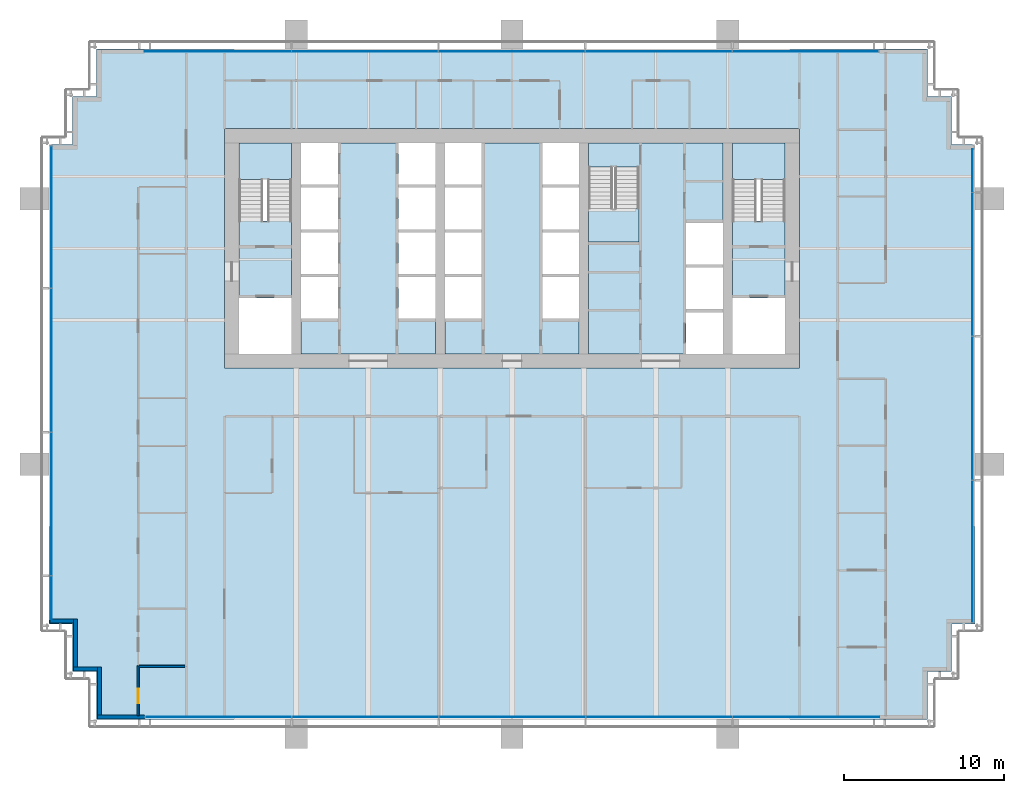
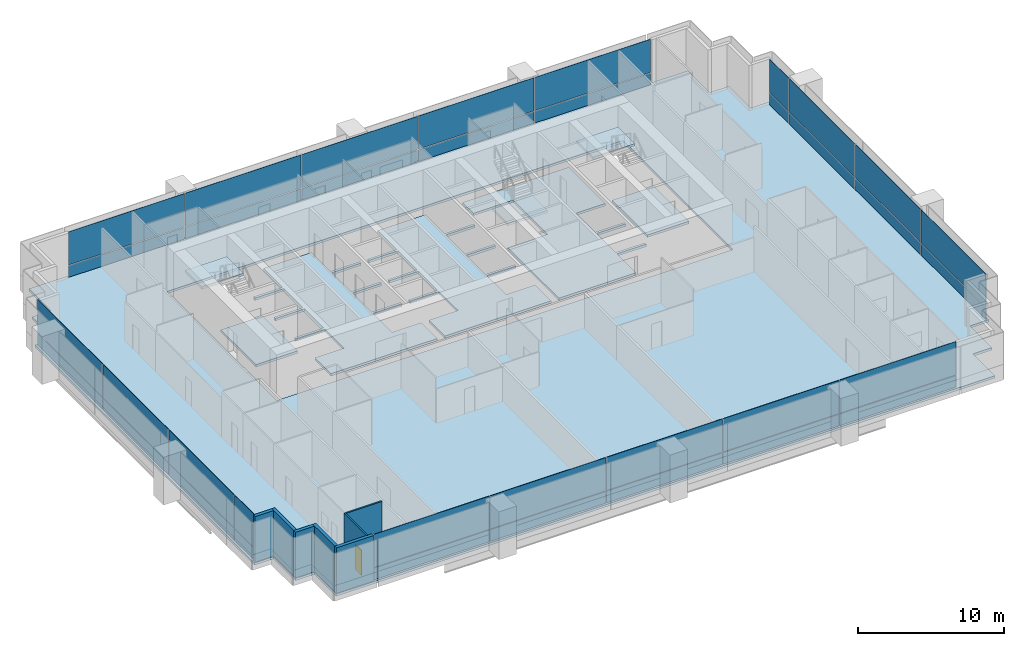
# One storey, part 9 of 17: 36 plates, 9 slabs, 7 walls, 1 door, 1 opening, 7 elements without a shape of their own.
"""IFC4 building model written with IfcOpenShell, lengths in metres."""

from ifc_helpers import new_model, si_unit, direction, frame, frame_2d, origin, origin_2d, place, context, subcontext, project, spatial, polyline, rectangle, outline, extrude, material, layer, layer_set, type_object, element, fill, aggregate, save


model = new_model("IFC4")

# Units and contexts
model_context = context("Model", 3, precision=1e-05, world=origin(), true_north=direction((0.0, 1.0)))
body_context = subcontext(model_context, "Body", "Model", "MODEL_VIEW")
ifc_project = project(units=[si_unit("LENGTHUNIT", "METRE"), si_unit("AREAUNIT", "SQUARE_METRE"), si_unit("VOLUMEUNIT", "CUBIC_METRE"), si_unit("PLANEANGLEUNIT", "RADIAN"), si_unit("MASSUNIT", "GRAM", prefix="KILO")], contexts=[model_context])

# Site, building, storey
site_placement = place(None, origin())
site = spatial("IfcSite", under=ifc_project, at=site_placement, CompositionType="ELEMENT")
building_placement = place(site_placement, origin())
building = spatial("IfcBuilding", under=site, at=building_placement, Name="Rattan Terrace Tower", CompositionType="ELEMENT")
storey_placement = place(building_placement, frame((0.0, 0.0, 146.10009765625)))
storey = spatial("IfcBuildingStorey", under=building, at=storey_placement, Name="L33", CompositionType="ELEMENT", Elevation=146.10009765625)

# Stair, slab
ifc_material_1 = material(Name="Concrete C40/50", Category="concrete")
stair_type = type_object("IfcStairType", Name="Core exit stair 1500", PredefinedType="HALF_TURN_STAIR", material=ifc_material_1)
stair_1_placement = place(storey_placement, origin())
stair_1 = element("IfcStair", 1, at=stair_1_placement, inside=storey, type_object=stair_type, Name="L33 exit stair 1", PredefinedType="HALF_TURN_STAIR")
ifc_material_2 = material(Name="Concrete C40/50", Category="concrete")
ifc_layer_1 = layer(ifc_material_2, 0.199951171875)
ifc_layer_set_1 = layer_set([ifc_layer_1], Name="Core exit stair landing")
slab_type_1 = type_object("IfcSlabType", Name="Core exit stair landing", PredefinedType="LANDING", material=ifc_layer_set_1)
slab_1_placement = place(storey_placement, frame((0.0, 0.0, 1.7998046875)))
slab_1 = element("IfcSlab", 2, at=slab_1_placement, type_object=slab_type_1, Name="S1 landing 1", PredefinedType="LANDING", context=body_context, shape_type="SweptSolid", body=[
    extrude(outline(polyline([(-13.800048828125, 4.300048828125), (-13.800048828125, 6.60009765625), (-17.10009765625, 6.60009765625), (-17.10009765625, 4.300048828125), (-13.800048828125, 4.300048828125)])), origin(), (0.0, 0.0, 1.0), 0.2001953125),
])
aggregate(stair_1, [slab_1])

stair_2_placement = place(storey_placement, origin())
stair_2 = element("IfcStair", 3, at=stair_2_placement, inside=storey, type_object=stair_type, Name="L33 exit stair 2", PredefinedType="HALF_TURN_STAIR")
slab_2_placement = place(storey_placement, frame((0.0, 0.0, 1.7998046875)))
slab_2 = element("IfcSlab", 4, at=slab_2_placement, type_object=slab_type_1, Name="S2 landing 1", PredefinedType="LANDING", context=body_context, shape_type="SweptSolid", body=[
    extrude(outline(polyline([(17.10009765625, 4.300048828125), (17.10009765625, 6.60009765625), (13.800048828125, 6.60009765625), (13.800048828125, 4.300048828125), (17.10009765625, 4.300048828125)])), origin(), (0.0, 0.0, 1.0), 0.2001953125),
])
aggregate(stair_2, [slab_2])

stair_3_placement = place(storey_placement, origin())
stair_3 = element("IfcStair", 5, at=stair_3_placement, inside=storey, type_object=stair_type, Name="L33 exit stair 3", PredefinedType="HALF_TURN_STAIR")
slab_3_placement = place(storey_placement, frame((0.0, 0.0, 1.7998046875)))
slab_3 = element("IfcSlab", 6, at=slab_3_placement, type_object=slab_type_1, Name="S3 landing 1", PredefinedType="LANDING", context=body_context, shape_type="SweptSolid", body=[
    extrude(outline(polyline([(4.800048828125, 2.5), (4.800048828125, 0.39990234375), (7.949951171875, 0.39990234375), (7.949951171875, 2.5), (4.800048828125, 2.5)])), origin(), (0.0, 0.0, 1.0), 0.2001953125),
])
aggregate(stair_3, [slab_3])

# Curtain wall, plates
ifc_material_3 = material(Name="Aluminium and glass", Category="aluminium")
curtain_wall_type = type_object("IfcCurtainWallType", Name="Facade Unitised Curtain Wall", PredefinedType="NOTDEFINED", material=ifc_material_3)
curtain_wall_1_placement = place(storey_placement, origin())
curtain_wall_1 = element("IfcCurtainWall", 7, at=curtain_wall_1_placement, inside=storey, type_object=curtain_wall_type, Name="Curtain wall L33-1", PredefinedType="NOTDEFINED")
ifc_material_4 = material(Name="Aluminium insulated spandrel panel", Category="aluminium")
ifc_layer_2 = layer(ifc_material_4, 0.028076171875)
ifc_layer_set_2 = layer_set([ifc_layer_2], Name="Facade CW Spandrel Panel")
plate_type_1 = type_object("IfcPlateType", Name="Facade CW Spandrel Panel", PredefinedType="CURTAIN_PANEL", material=ifc_layer_set_2)
plate_1_placement = place(storey_placement, frame((28.830078125, -18.96240234375, 0.0), z_axis=(0.0, 0.0, 1.0), x_axis=(0.0, 1.0, 0.0)))
plate_1 = element("IfcPlate", 8, at=plate_1_placement, type_object=plate_type_1, Name="Panel cwl-L33-001.1.1", PredefinedType="CURTAIN_PANEL", context=body_context, shape_type="SweptSolid", body=[
    extrude(rectangle(XDim=8.864990234375, YDim=0.028076171875, at=origin_2d()), origin(), (0.0, 0.0, 1.0), 0.969970703125),
])
plate_2_placement = place(storey_placement, frame((28.830078125, -10.0, 0.0), z_axis=(0.0, 0.0, 1.0), x_axis=(0.0, 1.0, 0.0)))
plate_2 = element("IfcPlate", 9, at=plate_2_placement, type_object=plate_type_1, Name="Panel cwl-L33-001.2.1", PredefinedType="CURTAIN_PANEL", context=body_context, shape_type="SweptSolid", body=[
    extrude(rectangle(XDim=8.93994140625, YDim=0.028076171875, at=origin_2d()), origin(), (0.0, 0.0, 1.0), 0.969970703125),
])
plate_3_placement = place(storey_placement, frame((28.830078125, -1.0, 0.0), z_axis=(0.0, 0.0, 1.0), x_axis=(0.0, 1.0, 0.0)))
plate_3 = element("IfcPlate", 10, at=plate_3_placement, type_object=plate_type_1, Name="Panel cwl-L33-001.3.1", PredefinedType="CURTAIN_PANEL", context=body_context, shape_type="SweptSolid", body=[
    extrude(rectangle(XDim=8.93994140625, YDim=0.028076171875, at=origin_2d()), origin(), (0.0, 0.0, 1.0), 0.969970703125),
])
plate_4_placement = place(storey_placement, frame((28.830078125, 4.867431640625, 0.0), z_axis=(0.0, 0.0, 1.0), x_axis=(0.0, 1.0, 0.0)))
plate_4 = element("IfcPlate", 11, at=plate_4_placement, type_object=plate_type_1, Name="Panel cwl-L33-001.4.1", PredefinedType="CURTAIN_PANEL", context=body_context, shape_type="SweptSolid", body=[
    extrude(rectangle(XDim=2.675048828125, YDim=0.028076171875, at=origin_2d()), origin(), (0.0, 0.0, 1.0), 0.969970703125),
])

curtain_wall_2_placement = place(storey_placement, origin())
curtain_wall_2 = element("IfcCurtainWall", 12, at=curtain_wall_2_placement, inside=storey, type_object=curtain_wall_type, Name="Curtain wall L33-2", PredefinedType="NOTDEFINED")
plate_5_placement = place(storey_placement, frame((18.384521484375, 12.330078125, 0.0), z_axis=(0.0, 0.0, 1.0), x_axis=(-1.0, 0.0, 0.0)))
plate_5 = element("IfcPlate", 13, at=plate_5_placement, type_object=plate_type_1, Name="Panel cwl-L33-002.1.1", PredefinedType="CURTAIN_PANEL", context=body_context, shape_type="SweptSolid", body=[
    extrude(rectangle(XDim=9.111083984375, YDim=0.028076171875, at=origin_2d()), origin(), (0.0, 0.0, 1.0), 0.969970703125),
])
plate_6_placement = place(storey_placement, frame((9.198486328125, 12.330078125, 0.0), z_axis=(0.0, 0.0, 1.0), x_axis=(-1.0, 0.0, 0.0)))
plate_6 = element("IfcPlate", 14, at=plate_6_placement, type_object=plate_type_1, Name="Panel cwl-L33-002.2.1", PredefinedType="CURTAIN_PANEL", context=body_context, shape_type="SweptSolid", body=[
    extrude(rectangle(XDim=9.14111328125, YDim=0.028076171875, at=origin_2d()), origin(), (0.0, 0.0, 1.0), 0.969970703125),
])
plate_7_placement = place(storey_placement, frame((-0.00244140625, 12.330078125, 0.0), z_axis=(0.0, 0.0, 1.0), x_axis=(-1.0, 0.0, 0.0)))
plate_7 = element("IfcPlate", 15, at=plate_7_placement, type_object=plate_type_1, Name="Panel cwl-L33-002.3.1", PredefinedType="CURTAIN_PANEL", context=body_context, shape_type="SweptSolid", body=[
    extrude(rectangle(XDim=9.14111328125, YDim=0.028076171875, at=origin_2d()), origin(), (0.0, 0.0, 1.0), 0.969970703125),
])
plate_8_placement = place(storey_placement, frame((-9.20361328125, 12.330078125, 0.0), z_axis=(0.0, 0.0, 1.0), x_axis=(-1.0, 0.0, 0.0)))
plate_8 = element("IfcPlate", 16, at=plate_8_placement, type_object=plate_type_1, Name="Panel cwl-L33-002.4.1", PredefinedType="CURTAIN_PANEL", context=body_context, shape_type="SweptSolid", body=[
    extrude(rectangle(XDim=9.14111328125, YDim=0.028076171875, at=origin_2d()), origin(), (0.0, 0.0, 1.0), 0.969970703125),
])
plate_9_placement = place(storey_placement, frame((-18.4169921875, 12.330078125, 0.0), z_axis=(0.0, 0.0, 1.0), x_axis=(-1.0, 0.0, 0.0)))
plate_9 = element("IfcPlate", 17, at=plate_9_placement, type_object=plate_type_1, Name="Panel cwl-L33-002.5.1", PredefinedType="CURTAIN_PANEL", context=body_context, shape_type="SweptSolid", body=[
    extrude(rectangle(XDim=9.166015625, YDim=0.028076171875, at=origin_2d()), origin(), (0.0, 0.0, 1.0), 0.969970703125),
])

curtain_wall_3_placement = place(storey_placement, origin())
curtain_wall_3 = element("IfcCurtainWall", 18, at=curtain_wall_3_placement, inside=storey, type_object=curtain_wall_type, Name="Curtain wall L33-3", PredefinedType="NOTDEFINED")
plate_10_placement = place(storey_placement, frame((-28.830078125, 1.96240234375, 0.0), z_axis=(0.0, 0.0, 1.0), x_axis=(0.0, -1.0, 0.0)))
plate_10 = element("IfcPlate", 19, at=plate_10_placement, type_object=plate_type_1, Name="Panel cwl-L33-003.1.1", PredefinedType="CURTAIN_PANEL", context=body_context, shape_type="SweptSolid", body=[
    extrude(rectangle(XDim=8.864990234375, YDim=0.028076171875, at=origin_2d()), origin(), (0.0, 0.0, 1.0), 0.969970703125),
])
plate_11_placement = place(storey_placement, frame((-28.830078125, -7.0, 0.0), z_axis=(0.0, 0.0, 1.0), x_axis=(0.0, -1.0, 0.0)))
plate_11 = element("IfcPlate", 20, at=plate_11_placement, type_object=plate_type_1, Name="Panel cwl-L33-003.2.1", PredefinedType="CURTAIN_PANEL", context=body_context, shape_type="SweptSolid", body=[
    extrude(rectangle(XDim=8.93994140625, YDim=0.028076171875, at=origin_2d()), origin(), (0.0, 0.0, 1.0), 0.969970703125),
])
plate_12_placement = place(storey_placement, frame((-28.830078125, -16.0, 0.0), z_axis=(0.0, 0.0, 1.0), x_axis=(0.0, -1.0, 0.0)))
plate_12 = element("IfcPlate", 21, at=plate_12_placement, type_object=plate_type_1, Name="Panel cwl-L33-003.3.1", PredefinedType="CURTAIN_PANEL", context=body_context, shape_type="SweptSolid", body=[
    extrude(rectangle(XDim=8.93994140625, YDim=0.028076171875, at=origin_2d()), origin(), (0.0, 0.0, 1.0), 0.969970703125),
])
plate_13_placement = place(storey_placement, frame((-28.830078125, -21.867431640625, 0.0), z_axis=(0.0, 0.0, 1.0), x_axis=(0.0, -1.0, 0.0)))
plate_13 = element("IfcPlate", 22, at=plate_13_placement, type_object=plate_type_1, Name="Panel cwl-L33-003.4.1", PredefinedType="CURTAIN_PANEL", context=body_context, shape_type="SweptSolid", body=[
    extrude(rectangle(XDim=2.675048828125, YDim=0.028076171875, at=origin_2d()), origin(), (0.0, 0.0, 1.0), 0.969970703125),
])

curtain_wall_4_placement = place(storey_placement, origin())
curtain_wall_4 = element("IfcCurtainWall", 23, at=curtain_wall_4_placement, inside=storey, type_object=curtain_wall_type, Name="Curtain wall L33-4", PredefinedType="NOTDEFINED")
plate_14_placement = place(storey_placement, frame((-18.384521484375, -29.330078125, 0.0), z_axis=(0.0, 0.0, 1.0), x_axis=(1.0, 0.0, 0.0)))
plate_14 = element("IfcPlate", 24, at=plate_14_placement, type_object=plate_type_1, Name="Panel cwl-L33-004.1.1", PredefinedType="CURTAIN_PANEL", context=body_context, shape_type="SweptSolid", body=[
    extrude(rectangle(XDim=9.111083984375, YDim=0.028076171875, at=origin_2d()), origin(), (0.0, 0.0, 1.0), 0.969970703125),
])
plate_15_placement = place(storey_placement, frame((-9.198486328125, -29.330078125, 0.0), z_axis=(0.0, 0.0, 1.0), x_axis=(1.0, 0.0, 0.0)))
plate_15 = element("IfcPlate", 25, at=plate_15_placement, type_object=plate_type_1, Name="Panel cwl-L33-004.2.1", PredefinedType="CURTAIN_PANEL", context=body_context, shape_type="SweptSolid", body=[
    extrude(rectangle(XDim=9.14111328125, YDim=0.028076171875, at=origin_2d()), origin(), (0.0, 0.0, 1.0), 0.969970703125),
])
plate_16_placement = place(storey_placement, frame((0.00244140625, -29.330078125, 0.0), z_axis=(0.0, 0.0, 1.0), x_axis=(1.0, 0.0, 0.0)))
plate_16 = element("IfcPlate", 26, at=plate_16_placement, type_object=plate_type_1, Name="Panel cwl-L33-004.3.1", PredefinedType="CURTAIN_PANEL", context=body_context, shape_type="SweptSolid", body=[
    extrude(rectangle(XDim=9.14111328125, YDim=0.028076171875, at=origin_2d()), origin(), (0.0, 0.0, 1.0), 0.969970703125),
])
plate_17_placement = place(storey_placement, frame((9.20361328125, -29.330078125, 0.0), z_axis=(0.0, 0.0, 1.0), x_axis=(1.0, 0.0, 0.0)))
plate_17 = element("IfcPlate", 27, at=plate_17_placement, type_object=plate_type_1, Name="Panel cwl-L33-004.4.1", PredefinedType="CURTAIN_PANEL", context=body_context, shape_type="SweptSolid", body=[
    extrude(rectangle(XDim=9.14111328125, YDim=0.028076171875, at=origin_2d()), origin(), (0.0, 0.0, 1.0), 0.969970703125),
])
plate_18_placement = place(storey_placement, frame((18.4169921875, -29.330078125, 0.0), z_axis=(0.0, 0.0, 1.0), x_axis=(1.0, 0.0, 0.0)))
plate_18 = element("IfcPlate", 28, at=plate_18_placement, type_object=plate_type_1, Name="Panel cwl-L33-004.5.1", PredefinedType="CURTAIN_PANEL", context=body_context, shape_type="SweptSolid", body=[
    extrude(rectangle(XDim=9.166015625, YDim=0.028076171875, at=origin_2d()), origin(), (0.0, 0.0, 1.0), 0.969970703125),
])

# Plate
ifc_material_5 = material(Name="Clear low-iron glass", Category="glass")
ifc_layer_3 = layer(ifc_material_5, 0.028076171875)
ifc_layer_set_3 = layer_set([ifc_layer_3], Name="Facade CW Vision Panel")
plate_type_2 = type_object("IfcPlateType", Name="Facade CW Vision Panel", PredefinedType="CURTAIN_PANEL", material=ifc_layer_set_3)
plate_19_placement = place(storey_placement, frame((28.830078125, -18.96240234375, 1.02978515625), z_axis=(0.0, 0.0, 1.0), x_axis=(0.0, 1.0, 0.0)))
plate_19 = element("IfcPlate", 29, at=plate_19_placement, type_object=plate_type_2, Name="Panel cwl-L33-001.1.2", PredefinedType="CURTAIN_PANEL", context=body_context, shape_type="SweptSolid", body=[
    extrude(rectangle(XDim=8.864990234375, YDim=0.028076171875, at=origin_2d()), origin(), (0.0, 0.0, 1.0), 2.77001953125),
])

plate_20_placement = place(storey_placement, frame((28.830078125, -10.0, 1.02978515625), z_axis=(0.0, 0.0, 1.0), x_axis=(0.0, 1.0, 0.0)))
plate_20 = element("IfcPlate", 30, at=plate_20_placement, type_object=plate_type_2, Name="Panel cwl-L33-001.2.2", PredefinedType="CURTAIN_PANEL", context=body_context, shape_type="SweptSolid", body=[
    extrude(rectangle(XDim=8.93994140625, YDim=0.028076171875, at=origin_2d()), origin(), (0.0, 0.0, 1.0), 2.77001953125),
])

plate_21_placement = place(storey_placement, frame((28.830078125, -1.0, 1.02978515625), z_axis=(0.0, 0.0, 1.0), x_axis=(0.0, 1.0, 0.0)))
plate_21 = element("IfcPlate", 31, at=plate_21_placement, type_object=plate_type_2, Name="Panel cwl-L33-001.3.2", PredefinedType="CURTAIN_PANEL", context=body_context, shape_type="SweptSolid", body=[
    extrude(rectangle(XDim=8.93994140625, YDim=0.028076171875, at=origin_2d()), origin(), (0.0, 0.0, 1.0), 2.77001953125),
])

plate_22_placement = place(storey_placement, frame((28.830078125, 4.867431640625, 1.02978515625), z_axis=(0.0, 0.0, 1.0), x_axis=(0.0, 1.0, 0.0)))
plate_22 = element("IfcPlate", 32, at=plate_22_placement, type_object=plate_type_2, Name="Panel cwl-L33-001.4.2", PredefinedType="CURTAIN_PANEL", context=body_context, shape_type="SweptSolid", body=[
    extrude(rectangle(XDim=2.675048828125, YDim=0.028076171875, at=origin_2d()), origin(), (0.0, 0.0, 1.0), 2.77001953125),
])

aggregate(curtain_wall_1, [plate_1, plate_19, plate_2, plate_20, plate_3, plate_21, plate_4, plate_22])

plate_23_placement = place(storey_placement, frame((18.384521484375, 12.330078125, 1.02978515625), z_axis=(0.0, 0.0, 1.0), x_axis=(-1.0, 0.0, 0.0)))
plate_23 = element("IfcPlate", 33, at=plate_23_placement, type_object=plate_type_2, Name="Panel cwl-L33-002.1.2", PredefinedType="CURTAIN_PANEL", context=body_context, shape_type="SweptSolid", body=[
    extrude(rectangle(XDim=9.111083984375, YDim=0.028076171875, at=origin_2d()), origin(), (0.0, 0.0, 1.0), 2.77001953125),
])

plate_24_placement = place(storey_placement, frame((9.198486328125, 12.330078125, 1.02978515625), z_axis=(0.0, 0.0, 1.0), x_axis=(-1.0, 0.0, 0.0)))
plate_24 = element("IfcPlate", 34, at=plate_24_placement, type_object=plate_type_2, Name="Panel cwl-L33-002.2.2", PredefinedType="CURTAIN_PANEL", context=body_context, shape_type="SweptSolid", body=[
    extrude(rectangle(XDim=9.14111328125, YDim=0.028076171875, at=origin_2d()), origin(), (0.0, 0.0, 1.0), 2.77001953125),
])

plate_25_placement = place(storey_placement, frame((-0.00244140625, 12.330078125, 1.02978515625), z_axis=(0.0, 0.0, 1.0), x_axis=(-1.0, 0.0, 0.0)))
plate_25 = element("IfcPlate", 35, at=plate_25_placement, type_object=plate_type_2, Name="Panel cwl-L33-002.3.2", PredefinedType="CURTAIN_PANEL", context=body_context, shape_type="SweptSolid", body=[
    extrude(rectangle(XDim=9.14111328125, YDim=0.028076171875, at=origin_2d()), origin(), (0.0, 0.0, 1.0), 2.77001953125),
])

plate_26_placement = place(storey_placement, frame((-9.20361328125, 12.330078125, 1.02978515625), z_axis=(0.0, 0.0, 1.0), x_axis=(-1.0, 0.0, 0.0)))
plate_26 = element("IfcPlate", 36, at=plate_26_placement, type_object=plate_type_2, Name="Panel cwl-L33-002.4.2", PredefinedType="CURTAIN_PANEL", context=body_context, shape_type="SweptSolid", body=[
    extrude(rectangle(XDim=9.14111328125, YDim=0.028076171875, at=origin_2d()), origin(), (0.0, 0.0, 1.0), 2.77001953125),
])

plate_27_placement = place(storey_placement, frame((-18.4169921875, 12.330078125, 1.02978515625), z_axis=(0.0, 0.0, 1.0), x_axis=(-1.0, 0.0, 0.0)))
plate_27 = element("IfcPlate", 37, at=plate_27_placement, type_object=plate_type_2, Name="Panel cwl-L33-002.5.2", PredefinedType="CURTAIN_PANEL", context=body_context, shape_type="SweptSolid", body=[
    extrude(rectangle(XDim=9.166015625, YDim=0.028076171875, at=origin_2d()), origin(), (0.0, 0.0, 1.0), 2.77001953125),
])

aggregate(curtain_wall_2, [plate_5, plate_23, plate_6, plate_24, plate_7, plate_25, plate_8, plate_26, plate_9, plate_27])

plate_28_placement = place(storey_placement, frame((-28.830078125, 1.96240234375, 1.02978515625), z_axis=(0.0, 0.0, 1.0), x_axis=(0.0, -1.0, 0.0)))
plate_28 = element("IfcPlate", 38, at=plate_28_placement, type_object=plate_type_2, Name="Panel cwl-L33-003.1.2", PredefinedType="CURTAIN_PANEL", context=body_context, shape_type="SweptSolid", body=[
    extrude(rectangle(XDim=8.864990234375, YDim=0.028076171875, at=origin_2d()), origin(), (0.0, 0.0, 1.0), 2.77001953125),
])

plate_29_placement = place(storey_placement, frame((-28.830078125, -7.0, 1.02978515625), z_axis=(0.0, 0.0, 1.0), x_axis=(0.0, -1.0, 0.0)))
plate_29 = element("IfcPlate", 39, at=plate_29_placement, type_object=plate_type_2, Name="Panel cwl-L33-003.2.2", PredefinedType="CURTAIN_PANEL", context=body_context, shape_type="SweptSolid", body=[
    extrude(rectangle(XDim=8.93994140625, YDim=0.028076171875, at=origin_2d()), origin(), (0.0, 0.0, 1.0), 2.77001953125),
])

plate_30_placement = place(storey_placement, frame((-28.830078125, -16.0, 1.02978515625), z_axis=(0.0, 0.0, 1.0), x_axis=(0.0, -1.0, 0.0)))
plate_30 = element("IfcPlate", 40, at=plate_30_placement, type_object=plate_type_2, Name="Panel cwl-L33-003.3.2", PredefinedType="CURTAIN_PANEL", context=body_context, shape_type="SweptSolid", body=[
    extrude(rectangle(XDim=8.93994140625, YDim=0.028076171875, at=origin_2d()), origin(), (0.0, 0.0, 1.0), 2.77001953125),
])

plate_31_placement = place(storey_placement, frame((-28.830078125, -21.867431640625, 1.02978515625), z_axis=(0.0, 0.0, 1.0), x_axis=(0.0, -1.0, 0.0)))
plate_31 = element("IfcPlate", 41, at=plate_31_placement, type_object=plate_type_2, Name="Panel cwl-L33-003.4.2", PredefinedType="CURTAIN_PANEL", context=body_context, shape_type="SweptSolid", body=[
    extrude(rectangle(XDim=2.675048828125, YDim=0.028076171875, at=origin_2d()), origin(), (0.0, 0.0, 1.0), 2.77001953125),
])

aggregate(curtain_wall_3, [plate_10, plate_28, plate_11, plate_29, plate_12, plate_30, plate_13, plate_31])

plate_32_placement = place(storey_placement, frame((-18.384521484375, -29.330078125, 1.02978515625), z_axis=(0.0, 0.0, 1.0), x_axis=(1.0, 0.0, 0.0)))
plate_32 = element("IfcPlate", 42, at=plate_32_placement, type_object=plate_type_2, Name="Panel cwl-L33-004.1.2", PredefinedType="CURTAIN_PANEL", context=body_context, shape_type="SweptSolid", body=[
    extrude(rectangle(XDim=9.111083984375, YDim=0.028076171875, at=origin_2d()), origin(), (0.0, 0.0, 1.0), 2.77001953125),
])

plate_33_placement = place(storey_placement, frame((-9.198486328125, -29.330078125, 1.02978515625), z_axis=(0.0, 0.0, 1.0), x_axis=(1.0, 0.0, 0.0)))
plate_33 = element("IfcPlate", 43, at=plate_33_placement, type_object=plate_type_2, Name="Panel cwl-L33-004.2.2", PredefinedType="CURTAIN_PANEL", context=body_context, shape_type="SweptSolid", body=[
    extrude(rectangle(XDim=9.14111328125, YDim=0.028076171875, at=origin_2d()), origin(), (0.0, 0.0, 1.0), 2.77001953125),
])

plate_34_placement = place(storey_placement, frame((0.00244140625, -29.330078125, 1.02978515625), z_axis=(0.0, 0.0, 1.0), x_axis=(1.0, 0.0, 0.0)))
plate_34 = element("IfcPlate", 44, at=plate_34_placement, type_object=plate_type_2, Name="Panel cwl-L33-004.3.2", PredefinedType="CURTAIN_PANEL", context=body_context, shape_type="SweptSolid", body=[
    extrude(rectangle(XDim=9.14111328125, YDim=0.028076171875, at=origin_2d()), origin(), (0.0, 0.0, 1.0), 2.77001953125),
])

plate_35_placement = place(storey_placement, frame((9.20361328125, -29.330078125, 1.02978515625), z_axis=(0.0, 0.0, 1.0), x_axis=(1.0, 0.0, 0.0)))
plate_35 = element("IfcPlate", 45, at=plate_35_placement, type_object=plate_type_2, Name="Panel cwl-L33-004.4.2", PredefinedType="CURTAIN_PANEL", context=body_context, shape_type="SweptSolid", body=[
    extrude(rectangle(XDim=9.14111328125, YDim=0.028076171875, at=origin_2d()), origin(), (0.0, 0.0, 1.0), 2.77001953125),
])

plate_36_placement = place(storey_placement, frame((18.4169921875, -29.330078125, 1.02978515625), z_axis=(0.0, 0.0, 1.0), x_axis=(1.0, 0.0, 0.0)))
plate_36 = element("IfcPlate", 46, at=plate_36_placement, type_object=plate_type_2, Name="Panel cwl-L33-004.5.2", PredefinedType="CURTAIN_PANEL", context=body_context, shape_type="SweptSolid", body=[
    extrude(rectangle(XDim=9.166015625, YDim=0.028076171875, at=origin_2d()), origin(), (0.0, 0.0, 1.0), 2.77001953125),
])

aggregate(curtain_wall_4, [plate_14, plate_32, plate_15, plate_33, plate_16, plate_34, plate_17, plate_35, plate_18, plate_36])

# Slabs
ifc_material_6 = material(Name="Concrete C35/45", Category="concrete")
ifc_layer_4 = layer(ifc_material_6, 0.199951171875)
ifc_layer_set_4 = layer_set([ifc_layer_4], Name="Frame composite floor slab 200")
slab_type_2 = type_object("IfcSlabType", Name="Frame composite floor slab 200", PredefinedType="FLOOR", material=ifc_layer_set_4)
slab_4_placement = place(storey_placement, frame((0.0, 0.0, -0.2001953125)))
element("IfcSlab", 47, at=slab_4_placement, inside=storey, type_object=slab_type_2, Name="Floor slab", PredefinedType="FLOOR", context=body_context, shape_type="SweptSolid", body=[
    extrude(outline(polyline([(-23.0, -29.5), (23.0, -29.5), (26.0, -29.5), (26.0, -26.5), (27.5, -26.5), (27.5, -23.5), (29.0, -23.5), (29.0, 6.5), (27.5, 6.5), (27.5, 9.5), (26.0, 9.5), (26.0, 12.5), (23.0, 12.5), (-23.0, 12.5), (-26.0, 12.5), (-26.0, 9.5), (-27.5, 9.5), (-27.5, 6.5), (-29.0, 6.5), (-29.0, -23.5), (-27.5, -23.5), (-27.5, -26.5), (-26.0, -26.5), (-26.0, -29.5), (-23.0, -29.5)]), holes=[polyline([(-18.0, -6.60009765625), (-18.0, -7.5), (18.0, -7.5), (18.0, -6.60009765625), (18.0, 6.60009765625), (18.0, 7.5), (-18.0, 7.5), (-18.0, 6.60009765625), (-18.0, -6.60009765625)])]), origin(), (0.0, 0.0, 1.0), 0.2001953125),
])
slab_5_placement = place(storey_placement, frame((0.0, 0.0, -0.2001953125)))
element("IfcSlab", 48, at=slab_5_placement, inside=storey, type_object=slab_type_2, Name="Floor slab", PredefinedType="FLOOR", context=body_context, shape_type="SweptSolid", body=[
    extrude(outline(polyline([(-10.89990234375, 6.60009765625), (-10.89990234375, 4.0), (-13.199951171875, 4.0), (-13.199951171875, 3.800048828125), (-10.89990234375, 3.800048828125), (-10.89990234375, 1.199951171875), (-13.199951171875, 1.199951171875), (-13.199951171875, 1.0), (-10.89990234375, 1.0), (-10.89990234375, -1.60009765625), (-13.199951171875, -1.60009765625), (-13.199951171875, -1.800048828125), (-10.89990234375, -1.800048828125), (-10.89990234375, -4.39990234375), (-13.199951171875, -4.39990234375), (-13.199951171875, -6.60009765625), (-4.800048828125, -6.60009765625), (-4.800048828125, -4.39990234375), (-7.10009765625, -4.39990234375), (-7.10009765625, -1.800048828125), (-4.800048828125, -1.800048828125), (-4.800048828125, -1.60009765625), (-7.10009765625, -1.60009765625), (-7.10009765625, 1.0), (-4.800048828125, 1.0), (-4.800048828125, 1.199951171875), (-7.10009765625, 1.199951171875), (-7.10009765625, 3.800048828125), (-4.800048828125, 3.800048828125), (-4.800048828125, 4.0), (-7.10009765625, 4.0), (-7.10009765625, 6.60009765625), (-10.89990234375, 6.60009765625)])), origin(), (0.0, 0.0, 1.0), 0.2001953125),
])
slab_6_placement = place(storey_placement, frame((0.0, 0.0, -0.2001953125)))
element("IfcSlab", 49, at=slab_6_placement, inside=storey, type_object=slab_type_2, Name="Floor slab", PredefinedType="FLOOR", context=body_context, shape_type="SweptSolid", body=[
    extrude(outline(polyline([(-17.10009765625, -3.10009765625), (-13.800048828125, -3.10009765625), (-13.800048828125, 1.7099609375), (-17.10009765625, 1.7099609375), (-17.10009765625, -3.10009765625)])), origin(), (0.0, 0.0, 1.0), 0.2001953125),
])
slab_7_placement = place(storey_placement, frame((0.0, 0.0, -0.2001953125)))
element("IfcSlab", 50, at=slab_7_placement, inside=storey, type_object=slab_type_2, Name="Floor slab", PredefinedType="FLOOR", context=body_context, shape_type="SweptSolid", body=[
    extrude(outline(polyline([(-4.199951171875, 4.0), (-4.199951171875, 3.800048828125), (-1.89990234375, 3.800048828125), (-1.89990234375, 1.199951171875), (-4.199951171875, 1.199951171875), (-4.199951171875, 1.0), (-1.89990234375, 1.0), (-1.89990234375, -1.60009765625), (-4.199951171875, -1.60009765625), (-4.199951171875, -1.800048828125), (-1.89990234375, -1.800048828125), (-1.89990234375, -4.39990234375), (-4.199951171875, -4.39990234375), (-4.199951171875, -6.60009765625), (4.199951171875, -6.60009765625), (4.199951171875, -4.39990234375), (1.89990234375, -4.39990234375), (1.89990234375, -1.800048828125), (4.199951171875, -1.800048828125), (4.199951171875, -1.60009765625), (1.89990234375, -1.60009765625), (1.89990234375, 1.0), (4.199951171875, 1.0), (4.199951171875, 1.199951171875), (1.89990234375, 1.199951171875), (1.89990234375, 3.800048828125), (4.199951171875, 3.800048828125), (4.199951171875, 4.0), (1.89990234375, 4.0), (1.89990234375, 6.60009765625), (-1.89990234375, 6.60009765625), (-1.89990234375, 4.0), (-4.199951171875, 4.0)])), origin(), (0.0, 0.0, 1.0), 0.2001953125),
])
slab_8_placement = place(storey_placement, frame((0.0, 0.0, -0.2001953125)))
element("IfcSlab", 51, at=slab_8_placement, inside=storey, type_object=slab_type_2, Name="Floor slab", PredefinedType="FLOOR", context=body_context, shape_type="SweptSolid", body=[
    extrude(outline(polyline([(4.800048828125, 5.090087890625), (7.949951171875, 5.090087890625), (7.949951171875, 0.39990234375), (4.800048828125, 0.39990234375), (4.800048828125, -6.60009765625), (10.89990234375, -6.60009765625), (10.89990234375, -4.0), (13.199951171875, -4.0), (13.199951171875, -3.800048828125), (10.89990234375, -3.800048828125), (10.89990234375, -1.199951171875), (13.199951171875, -1.199951171875), (13.199951171875, -1.0), (10.89990234375, -1.0), (10.89990234375, 1.60009765625), (13.199951171875, 1.60009765625), (13.199951171875, 6.60009765625), (4.800048828125, 6.60009765625), (4.800048828125, 5.090087890625)])), origin(), (0.0, 0.0, 1.0), 0.2001953125),
])
slab_9_placement = place(storey_placement, frame((0.0, 0.0, -0.2001953125)))
element("IfcSlab", 52, at=slab_9_placement, inside=storey, type_object=slab_type_2, Name="Floor slab", PredefinedType="FLOOR", context=body_context, shape_type="SweptSolid", body=[
    extrude(outline(polyline([(13.800048828125, -3.10009765625), (17.10009765625, -3.10009765625), (17.10009765625, 1.7099609375), (13.800048828125, 1.7099609375), (13.800048828125, -3.10009765625)])), origin(), (0.0, 0.0, 1.0), 0.2001953125),
])

# Walls
ifc_material_7 = material(Name="Insulated aluminium-clad stud wall", Category="aluminium")
ifc_layer_5 = layer(ifc_material_7, 0.25)
ifc_layer_set_5 = layer_set([ifc_layer_5], Name="Facade Riser Wall 250")
wall_type_1 = type_object("IfcWallType", Name="Facade Riser Wall 250", PredefinedType="SOLIDWALL", material=ifc_layer_set_5)
wall_1_placement = place(storey_placement, frame((-28.909912109375, -23.330078125, 0.0), z_axis=(0.0, 0.0, 1.0), x_axis=(1.0, 0.0, 0.0)))
element("IfcWall", 53, at=wall_1_placement, inside=storey, type_object=wall_type_1, Name="Riser wall L33-16", PredefinedType="SOLIDWALL", context=body_context, shape_type="SweptSolid", body=[
    extrude(rectangle(XDim=1.454833984375, YDim=0.25, at=frame_2d((0.7275390625, 0.0))), origin(), (0.0, 0.0, 1.0), 3.7998046875),
])
wall_2_placement = place(storey_placement, frame((-27.330078125, -23.205078125, 0.0), z_axis=(0.0, 0.0, 1.0), x_axis=(0.0, -1.0, 0.0)))
element("IfcWall", 54, at=wall_2_placement, inside=storey, type_object=wall_type_1, Name="Riser wall L33-17", PredefinedType="SOLIDWALL", context=body_context, shape_type="SweptSolid", body=[
    extrude(rectangle(XDim=3.0, YDim=0.25, at=frame_2d((1.5, 0.0))), origin(), (0.0, 0.0, 1.0), 3.7998046875),
])
wall_3_placement = place(storey_placement, frame((-27.455078125, -26.330078125, 0.0), z_axis=(0.0, 0.0, 1.0), x_axis=(1.0, 0.0, 0.0)))
element("IfcWall", 55, at=wall_3_placement, inside=storey, type_object=wall_type_1, Name="Riser wall L33-18", PredefinedType="SOLIDWALL", context=body_context, shape_type="SweptSolid", body=[
    extrude(rectangle(XDim=1.5, YDim=0.25, at=frame_2d((0.75, 0.0))), origin(), (0.0, 0.0, 1.0), 3.7998046875),
])
wall_4_placement = place(storey_placement, frame((-25.830078125, -26.205078125, 0.0), z_axis=(0.0, 0.0, 1.0), x_axis=(0.0, -1.0, 0.0)))
element("IfcWall", 56, at=wall_4_placement, inside=storey, type_object=wall_type_1, Name="Riser wall L33-19", PredefinedType="SOLIDWALL", context=body_context, shape_type="SweptSolid", body=[
    extrude(rectangle(XDim=3.0, YDim=0.25, at=frame_2d((1.5, 0.0))), origin(), (0.0, 0.0, 1.0), 3.7998046875),
])
wall_5_placement = place(storey_placement, frame((-25.955078125, -29.330078125, 0.0), z_axis=(0.0, 0.0, 1.0), x_axis=(1.0, 0.0, 0.0)))
element("IfcWall", 57, at=wall_5_placement, inside=storey, type_object=wall_type_1, Name="Riser wall L33-20", PredefinedType="SOLIDWALL", context=body_context, shape_type="SweptSolid", body=[
    extrude(rectangle(XDim=2.955078125, YDim=0.25, at=frame_2d((1.4775390625, 0.0))), origin(), (0.0, 0.0, 1.0), 3.7998046875),
])

# Wall, opening, door
ifc_material_8 = material(Name="Moisture resistant gypsum board partition on steel studs with service cavity", Category="steel")
ifc_layer_6 = layer(ifc_material_8, 0.1201171875)
ifc_layer_set_6 = layer_set([ifc_layer_6], Name="Floors Wet Wall 120")
wall_type_2 = type_object("IfcWallType", Name="Floors Wet Wall 120", PredefinedType="PARTITIONING", material=ifc_layer_set_6)
wall_6_placement = place(storey_placement, frame((-23.39990234375, -26.139892578125, 0.0), z_axis=(0.0, 0.0, 1.0), x_axis=(0.0, -1.0, 0.0)))
wall_6 = element("IfcWall", 58, at=wall_6_placement, inside=storey, type_object=wall_type_2, Name="pt-L33-031", PredefinedType="PARTITIONING", context=body_context, shape_type="SweptSolid", body=[
    extrude(rectangle(XDim=3.10009765625, YDim=0.1201171875, at=frame_2d((1.550048828125, 0.0))), origin(), (0.0, 0.0, 1.0), 3.7998046875),
])
opening_placement = place(wall_6_placement, frame((1.43994140625, 0.0, 0.0)))
opening = element("IfcOpeningElement", 59, at=opening_placement, cuts=wall_6, Name="Opening L33-D101", PredefinedType="OPENING", context=body_context, shape_type="SweptSolid", body=[
    extrude(rectangle(XDim=0.89990234375, YDim=2.10009765625, at=frame_2d((0.449951171875, 1.050048828125))), frame((0.0, 0.070556640625, 0.0), z_axis=(0.0, -1.0, 0.0), x_axis=(1.0, 0.0, 0.0)), (0.0, 0.0, 1.0), 0.14111328125),
])
ifc_material_9 = material(Name="Solid core timber door, painted", Category="wood")
door_type = type_object("IfcDoorType", Name="Floors Door 900x2100", OperationType="NOTDEFINED", PredefinedType="DOOR", material=ifc_material_9)
door_placement = place(opening_placement, origin())
door = element("IfcDoor", 60, at=door_placement, inside=storey, type_object=door_type, Name="d-L33-101", OperationType="SINGLE_SWING_RIGHT", OverallHeight=2.10009765625, OverallWidth=0.89990234375, PredefinedType="DOOR", context=body_context, shape_type="SweptSolid", body=[
    extrude(rectangle(XDim=0.89990234375, YDim=2.10009765625, at=frame_2d((0.449951171875, 1.050048828125))), frame((0.0, 0.02490234375, 0.0), z_axis=(0.0, -1.0, 0.0), x_axis=(1.0, 0.0, 0.0)), (0.0, 0.0, 1.0), 0.050048828125),
])
fill(opening, door)

# Wall
wall_7_placement = place(storey_placement, frame((-23.340087890625, -26.159912109375, 0.0), z_axis=(0.0, 0.0, 1.0), x_axis=(1.0, 0.0, 0.0)))
element("IfcWall", 61, at=wall_7_placement, inside=storey, type_object=wall_type_2, Name="pt-L33-039", PredefinedType="PARTITIONING", context=body_context, shape_type="SweptSolid", body=[
    extrude(rectangle(XDim=2.864990234375, YDim=0.1201171875, at=frame_2d((1.4326171875, 0.0))), origin(), (0.0, 0.0, 1.0), 3.7998046875),
])

save(model, "model.ifc")
